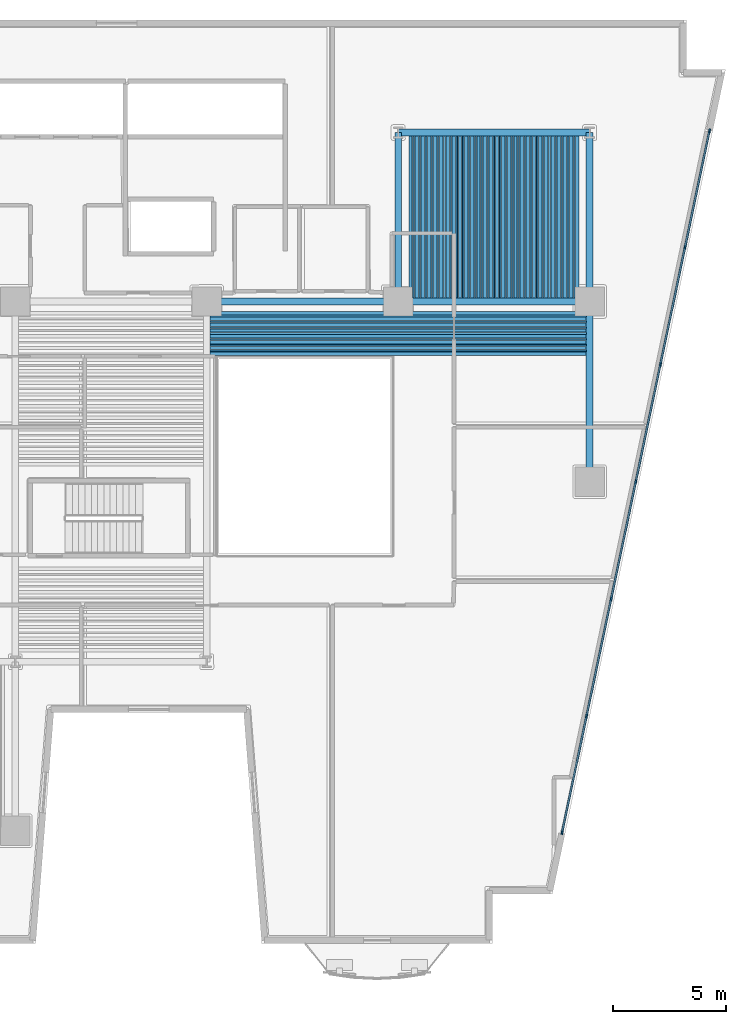
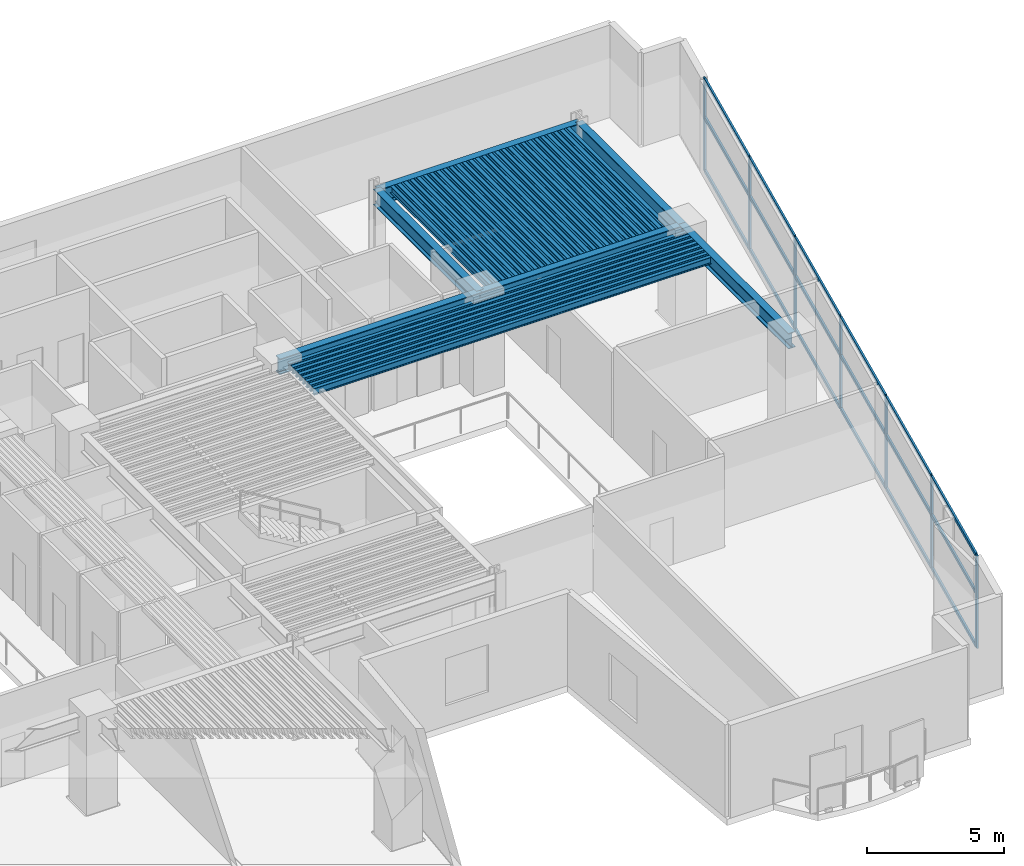
# One storey, part 2 of 12: 76 beams, 25 members, 1 element without a shape of its own.
"""IFC4 building model written with IfcOpenShell, lengths in metres."""

import ifcopenshell
import ifcopenshell.guid

model = None  # the IFC model being written
_history = None  # IfcOwnerHistory: only IFC2X3 demands one
_inside = {}  # id of a spatial element -> (the spatial element, [elements in it])
_under = {}  # id of a project, library or spatial element -> (it, [spatial elements below it])
_declared = {}  # id of a project -> (the project, [libraries it declares])
_typed = {}  # id of a type object -> (the type object, [elements of that type])
_made_of = {}  # id of a material, layer set ... -> (it, [elements and type objects made of it])


def new_model(schema):
    """Start an empty IFC model of exactly this schema.

    Asked for "IFC4X3", IfcOpenShell would pick the latest addendum, in which some entities
    have other attributes; the version numbers below select the first issue.
    IFC2X3 requires an IfcOwnerHistory on every rooted entity: one is made here for all.
    """
    global model, _history
    if schema == "IFC4X3":
        model = ifcopenshell.file(schema_version=(4, 3, 0, 0))
    else:
        model = ifcopenshell.file(schema=schema)
    _inside.clear()
    _under.clear()
    _declared.clear()
    _typed.clear()
    _made_of.clear()
    _history = None
    if model.schema == "IFC2X3":
        org = make("IfcOrganization", Name="unknown")
        user = make(
            "IfcPersonAndOrganization",
            ThePerson=make("IfcPerson", FamilyName="unknown"),
            TheOrganization=org,
        )
        app = make(
            "IfcApplication",
            ApplicationDeveloper=org,
            Version="unknown",
            ApplicationFullName="unknown",
            ApplicationIdentifier="unknown",
        )
        _history = make(
            "IfcOwnerHistory",
            OwningUser=user,
            OwningApplication=app,
            ChangeAction="ADDED",
            CreationDate=0,
        )
    return model


def make(cls, **values):
    """One entity of the class cls with the attributes given. An attribute that is None is left unset."""
    return model.create_entity(
        cls, **{name: value for name, value in values.items() if value is not None}
    )


def rooted(cls, **values):
    """An entity with a GlobalId (a new one), such as an element, a storey or a relation."""
    return make(cls, GlobalId=ifcopenshell.guid.new(), OwnerHistory=_history, **values)


def si_unit(unit_type, name, prefix=None):
    """IfcSIUnit, for example si_unit("LENGTHUNIT", "METRE", prefix="MILLI")."""
    return make("IfcSIUnit", UnitType=unit_type, Prefix=prefix, Name=name)


def assignment(units):
    """IfcUnitAssignment: the units of a project."""
    return None if units is None else make("IfcUnitAssignment", Units=units)


def point(xyz):
    """IfcCartesianPoint."""
    return None if xyz is None else make("IfcCartesianPoint", Coordinates=xyz)


def direction(xyz):
    """IfcDirection."""
    return None if xyz is None else make("IfcDirection", DirectionRatios=xyz)


def frame(location, z_axis=None, x_axis=None):
    """IfcAxis2Placement3D, a coordinate frame: its origin and axes. An axis left out is left unset."""
    return make(
        "IfcAxis2Placement3D",
        Location=point(location),
        Axis=direction(z_axis),
        RefDirection=direction(x_axis),
    )


def frame_2d(location, x_axis=None):
    """IfcAxis2Placement2D, a coordinate frame in the plane: its origin and x axis."""
    return make(
        "IfcAxis2Placement2D", Location=point(location), RefDirection=direction(x_axis)
    )


def origin():
    """The frame at (0, 0, 0) with its axes left unset."""
    return frame((0.0, 0.0, 0.0))


def origin_2d():
    """The frame at (0, 0) in the plane with its x axis left unset."""
    return frame_2d((0.0, 0.0))


def place(relative_to, where):
    """IfcLocalPlacement: puts the frame where relative to a parent placement (None: the world)."""
    return make(
        "IfcLocalPlacement", PlacementRelTo=relative_to, RelativePlacement=where
    )


def context(
    kind, dimensions, precision=None, world=None, true_north=None, identifier=None
):
    """IfcGeometricRepresentationContext, for example the 3D "Model" context."""
    return make(
        "IfcGeometricRepresentationContext",
        ContextIdentifier=identifier,
        ContextType=kind,
        CoordinateSpaceDimension=dimensions,
        Precision=precision,
        WorldCoordinateSystem=world,
        TrueNorth=true_north,
    )


def subcontext(parent, identifier, kind, view, scale=None):
    """IfcGeometricRepresentationSubContext, for example "Body" below "Model"."""
    return make(
        "IfcGeometricRepresentationSubContext",
        ContextIdentifier=identifier,
        ContextType=kind,
        ParentContext=parent,
        TargetScale=scale,
        TargetView=view,
    )


def project(units=None, contexts=None):
    """IfcProject with its units and contexts."""
    return rooted(
        "IfcProject",
        Name="project",
        RepresentationContexts=contexts,
        UnitsInContext=assignment(units),
    )


def spatial(cls, under=None, at=None, **own):
    """A site, building, storey or space (cls), placed at a placement, below another one or the project."""
    s = rooted(cls, ObjectPlacement=at, **own)
    if under is not None:
        _under.setdefault(under.id(), (under, []))[1].append(s)
    return s


def profile(cls, at=None, kind="AREA", **sizes):
    """A parametric profile (cls). Its sizes go by their IFC names, for example OverallWidth=200.0."""
    return make(cls, ProfileType=kind, Position=at, **sizes)


def rectangle(**sizes):
    """IfcRectangleProfileDef."""
    return profile("IfcRectangleProfileDef", **sizes)


def hollow_rectangle(**sizes):
    """IfcRectangleHollowProfileDef."""
    return profile("IfcRectangleHollowProfileDef", **sizes)


def i_section(**sizes):
    """IfcIShapeProfileDef."""
    return profile("IfcIShapeProfileDef", **sizes)


def extrude(swept, where, along, depth):
    """IfcExtrudedAreaSolid: the profile swept, set in the frame where, extruded along a direction by depth."""
    return make(
        "IfcExtrudedAreaSolid",
        SweptArea=swept,
        Position=where,
        ExtrudedDirection=direction(along),
        Depth=depth,
    )


def shape(context_of_items, identifier, shape_type, items):
    """IfcShapeRepresentation: the items that make up one representation, for example the "Body"."""
    return make(
        "IfcShapeRepresentation",
        ContextOfItems=context_of_items,
        RepresentationIdentifier=identifier,
        RepresentationType=shape_type,
        Items=items,
    )


def material(Name=None, Category=None):
    """IfcMaterial."""
    return make("IfcMaterial", Name=Name, Category=Category)


def layer(
    of_material, thickness, ventilated=None, Name=None, Category=None, Priority=None
):
    """IfcMaterialLayer: one layer of a wall or slab, of a material (None: an air gap)."""
    return make(
        "IfcMaterialLayer",
        Material=of_material,
        LayerThickness=thickness,
        IsVentilated=ventilated,
        Name=Name,
        Category=Category,
        Priority=Priority,
    )


def layer_set(layers, Name=None):
    """IfcMaterialLayerSet."""
    return make("IfcMaterialLayerSet", MaterialLayers=layers, LayerSetName=Name)


def material_profile(
    of_material, cross_section, Name=None, Category=None, Priority=None
):
    """IfcMaterialProfile: a cross section and its material."""
    return make(
        "IfcMaterialProfile",
        Name=Name,
        Material=of_material,
        Profile=cross_section,
        Priority=Priority,
        Category=Category,
    )


def profile_set(profiles, Name=None, composite=None):
    """IfcMaterialProfileSet."""
    return make(
        "IfcMaterialProfileSet",
        Name=Name,
        MaterialProfiles=profiles,
        CompositeProfile=composite,
    )


def made_of(thing, what):
    """Note that an element or type object is made of a material, layer set ...; save() writes the relation."""
    if what is not None:
        _made_of.setdefault(what.id(), (what, []))[1].append(thing)
    return thing


def type_object(cls, material=None, **own):
    """A type object (cls), such as IfcWallType, which elements share."""
    return made_of(rooted(cls, **own), material)


def element(
    cls,
    number,
    at=None,
    inside=None,
    cuts=None,
    type_object=None,
    material=None,
    context=None,
    identifier="Body",
    shape_type=None,
    held_by="IfcProductDefinitionShape",
    body=None,
    shapes=None,
    **own,
):
    """One element of the class cls, such as IfcWall. Its Tag is "e" and its number.

    at: its placement. inside: the storey or other place that contains it. cuts: it is an
    opening in that element (IfcRelVoidsElement). A single representation is given by context,
    identifier, shape_type and body (its items); several are given by shapes. held_by: the class
    of the entity that holds the representations. save() writes the other relations.
    """
    e = rooted(cls, Tag="e%d" % number, ObjectPlacement=at, **own)
    if body is not None:
        shapes = [shape(context, identifier, shape_type, body)]
    if shapes is not None:
        e.Representation = make(held_by, Representations=shapes)
    if inside is not None:
        _inside.setdefault(inside.id(), (inside, []))[1].append(e)
    if cuts is not None:
        rooted(
            "IfcRelVoidsElement", RelatingBuildingElement=cuts, RelatedOpeningElement=e
        )
    if type_object is not None:
        _typed.setdefault(type_object.id(), (type_object, []))[1].append(e)
    return made_of(e, material)


def aggregate(whole, parts):
    """IfcRelAggregates: a whole, such as a stair, and the parts it consists of."""
    return rooted("IfcRelAggregates", RelatingObject=whole, RelatedObjects=parts)


def save(model, path):
    """Write the relations noted so far, then the file.

    IfcRelAggregates (storeys below a building ...), IfcRelContainedInSpatialStructure (elements
    in a storey), IfcRelDefinesByType, IfcRelAssociatesMaterial and IfcRelDeclares: one each for
    every whole, place, type object, material and project.
    """
    for whole, parts in _under.values():
        aggregate(whole, parts)
    for where, things in _inside.values():
        rooted(
            "IfcRelContainedInSpatialStructure",
            RelatedElements=things,
            RelatingStructure=where,
        )
    for kind, things in _typed.values():
        rooted("IfcRelDefinesByType", RelatedObjects=things, RelatingType=kind)
    for what, things in _made_of.values():
        rooted("IfcRelAssociatesMaterial", RelatedObjects=things, RelatingMaterial=what)
    for by, libraries in _declared.values():
        rooted("IfcRelDeclares", RelatingContext=by, RelatedDefinitions=libraries)
    model.write(path)


model = new_model("IFC4")

# Units and contexts
model_context = context("Model", 3, precision=1e-05, world=origin(), true_north=direction((0.0, 1.0)))
body_context = subcontext(model_context, "Body", "Model", "MODEL_VIEW")
ifc_project = project(units=[si_unit("LENGTHUNIT", "METRE"), si_unit("AREAUNIT", "SQUARE_METRE"), si_unit("VOLUMEUNIT", "CUBIC_METRE"), si_unit("PLANEANGLEUNIT", "RADIAN"), si_unit("MASSUNIT", "GRAM", prefix="KILO")], contexts=[model_context])

# Site, building, storey
site_placement = place(None, origin())
site = spatial("IfcSite", under=ifc_project, at=site_placement, CompositionType="ELEMENT")
building_placement = place(site_placement, origin())
building = spatial("IfcBuilding", under=site, at=building_placement, Name="Caeloran Harvest Quay", CompositionType="ELEMENT")
storey_placement = place(building_placement, frame((0.0, 0.0, 84.199951171875)))
storey = spatial("IfcBuildingStorey", under=building, at=storey_placement, Name="L19", CompositionType="ELEMENT", Elevation=84.199951171875)

# Beams
ifc_material_1 = material(Name="Steel S355J2", Category="steel")
ifc_material_profile_1 = material_profile(ifc_material_1, i_section(OverallWidth=0.300048828125, OverallDepth=0.699951171875, WebThickness=0.01708984375, FlangeThickness=0.031982421875, FilletRadius=0.027099609375, at=origin_2d()), Name="HE 700 B")
ifc_profile_set_1 = profile_set([ifc_material_profile_1], Name="Steel S355J2")
beam_type_1 = type_object("IfcBeamType", Name="BM-PG-2-HE_700_B", PredefinedType="BEAM", material=ifc_profile_set_1)
for number, where, z_axis, x_axis, name in (
    (1, (34.0, 31.0, 3.76513671875), (1.0, 0.0, 0.0), (0.0, 1.0, 0.0), "L19 Primary East-West Girder Y=31.0"),
    (2, (42.5, 31.0, 3.76513671875), (1.0, 0.0, 0.0), (0.0, 1.0, 0.0), "L19 Primary East-West Girder Y=31.0"),
    (3, (42.5, 38.5, 3.76513671875), (1.0, 0.0, 0.0), (0.0, 1.0, 0.0), "L19 Primary East-West Girder Y=38.5"),
):
    element("IfcBeam", number, at=place(storey_placement, frame(where, z_axis=z_axis, x_axis=x_axis)), inside=storey, type_object=beam_type_1, Name=name, PredefinedType="BEAM", context=body_context, shape_type="SweptSolid", body=[
        extrude(i_section(OverallWidth=0.300048828125, OverallDepth=0.699951171875, WebThickness=0.01708984375, FlangeThickness=0.031982421875, FilletRadius=0.027099609375, at=origin_2d()), origin(), (0.0, 0.0, 1.0), 8.5),
    ])
beam_1_placement = place(storey_placement, frame((42.5, 31.0, 3.76513671875), z_axis=(0.0, 1.0, 0.0), x_axis=(-1.0, 0.0, 0.0)))
element("IfcBeam", 4, at=beam_1_placement, inside=storey, type_object=beam_type_1, Name="L19 Primary North-South Girder X=42.5", PredefinedType="BEAM", context=body_context, shape_type="SweptSolid", body=[
    extrude(i_section(OverallWidth=0.300048828125, OverallDepth=0.699951171875, WebThickness=0.01708984375, FlangeThickness=0.031982421875, FilletRadius=0.027099609375, at=origin_2d()), origin(), (0.0, 0.0, 1.0), 7.5),
])
beam_2_placement = place(storey_placement, frame((51.0, 23.0, 3.76513671875), z_axis=(0.0, 1.0, 0.0), x_axis=(-1.0, 0.0, 0.0)))
element("IfcBeam", 5, at=beam_2_placement, inside=storey, type_object=beam_type_1, Name="L19 Primary North-South Girder X=51.0", PredefinedType="BEAM", context=body_context, shape_type="SweptSolid", body=[
    extrude(i_section(OverallWidth=0.300048828125, OverallDepth=0.699951171875, WebThickness=0.01708984375, FlangeThickness=0.031982421875, FilletRadius=0.027099609375, at=origin_2d()), origin(), (0.0, 0.0, 1.0), 8.0),
])
beam_3_placement = place(storey_placement, frame((51.0, 31.0, 3.76513671875), z_axis=(0.0, 1.0, 0.0), x_axis=(-1.0, 0.0, 0.0)))
element("IfcBeam", 6, at=beam_3_placement, inside=storey, type_object=beam_type_1, Name="L19 Primary North-South Girder X=51.0", PredefinedType="BEAM", context=body_context, shape_type="SweptSolid", body=[
    extrude(i_section(OverallWidth=0.300048828125, OverallDepth=0.699951171875, WebThickness=0.01708984375, FlangeThickness=0.031982421875, FilletRadius=0.027099609375, at=origin_2d()), origin(), (0.0, 0.0, 1.0), 7.5),
])
ifc_material_profile_2 = material_profile(ifc_material_1, i_section(OverallWidth=0.14990234375, OverallDepth=0.300048828125, WebThickness=0.007080078125, FlangeThickness=0.0107421875, FilletRadius=0.014892578125, at=origin_2d()), Name="IPE 300")
ifc_profile_set_2 = profile_set([ifc_material_profile_2], Name="Steel S355J2")
beam_type_2 = type_object("IfcBeamType", Name="BM-SB-6-IPE_300", PredefinedType="JOIST", material=ifc_profile_set_2)
for number, where, z_axis, x_axis, name in (
    (7, (43.04833984375, 31.14501953125, 3.965087890625), (0.0, 1.0, 0.0), (-1.0, 0.0, 0.0), "L19 Secondary Composite Joist"),
    (8, (43.322509765625, 31.14501953125, 3.965087890625), (0.0, 1.0, 0.0), (-1.0, 0.0, 0.0), "L19 Secondary Composite Joist"),
    (9, (43.5966796875, 31.14501953125, 3.965087890625), (0.0, 1.0, 0.0), (-1.0, 0.0, 0.0), "L19 Secondary Composite Joist"),
    (10, (43.87109375, 31.14501953125, 3.965087890625), (0.0, 1.0, 0.0), (-1.0, 0.0, 0.0), "L19 Secondary Composite Joist"),
    (11, (44.145263671875, 31.14501953125, 3.965087890625), (0.0, 1.0, 0.0), (-1.0, 0.0, 0.0), "L19 Secondary Composite Joist"),
    (12, (44.41943359375, 31.14501953125, 3.965087890625), (0.0, 1.0, 0.0), (-1.0, 0.0, 0.0), "L19 Secondary Composite Joist"),
    (13, (44.693603515625, 31.14501953125, 3.965087890625), (0.0, 1.0, 0.0), (-1.0, 0.0, 0.0), "L19 Secondary Composite Joist"),
    (14, (44.9677734375, 31.14501953125, 3.965087890625), (0.0, 1.0, 0.0), (-1.0, 0.0, 0.0), "L19 Secondary Composite Joist"),
    (15, (45.241943359375, 31.14501953125, 3.965087890625), (0.0, 1.0, 0.0), (-1.0, 0.0, 0.0), "L19 Secondary Composite Joist"),
    (16, (45.51611328125, 31.14501953125, 3.965087890625), (0.0, 1.0, 0.0), (-1.0, 0.0, 0.0), "L19 Secondary Composite Joist"),
    (17, (45.790283203125, 31.14501953125, 3.965087890625), (0.0, 1.0, 0.0), (-1.0, 0.0, 0.0), "L19 Secondary Composite Joist"),
    (18, (46.064453125, 31.14501953125, 3.965087890625), (0.0, 1.0, 0.0), (-1.0, 0.0, 0.0), "L19 Secondary Composite Joist"),
    (19, (46.338623046875, 31.14501953125, 3.965087890625), (0.0, 1.0, 0.0), (-1.0, 0.0, 0.0), "L19 Secondary Composite Joist"),
    (20, (46.61279296875, 31.14501953125, 3.965087890625), (0.0, 1.0, 0.0), (-1.0, 0.0, 0.0), "L19 Secondary Composite Joist"),
    (21, (46.88720703125, 31.14501953125, 3.965087890625), (0.0, 1.0, 0.0), (-1.0, 0.0, 0.0), "L19 Secondary Composite Joist"),
    (22, (47.161376953125, 31.14501953125, 3.965087890625), (0.0, 1.0, 0.0), (-1.0, 0.0, 0.0), "L19 Secondary Composite Joist"),
    (23, (47.435546875, 31.14501953125, 3.965087890625), (0.0, 1.0, 0.0), (-1.0, 0.0, 0.0), "L19 Secondary Composite Joist"),
    (24, (47.709716796875, 31.14501953125, 3.965087890625), (0.0, 1.0, 0.0), (-1.0, 0.0, 0.0), "L19 Secondary Composite Joist"),
    (25, (47.98388671875, 31.14501953125, 3.965087890625), (0.0, 1.0, 0.0), (-1.0, 0.0, 0.0), "L19 Secondary Composite Joist"),
    (26, (48.258056640625, 31.14501953125, 3.965087890625), (0.0, 1.0, 0.0), (-1.0, 0.0, 0.0), "L19 Secondary Composite Joist"),
    (27, (48.5322265625, 31.14501953125, 3.965087890625), (0.0, 1.0, 0.0), (-1.0, 0.0, 0.0), "L19 Secondary Composite Joist"),
    (28, (48.806396484375, 31.14501953125, 3.965087890625), (0.0, 1.0, 0.0), (-1.0, 0.0, 0.0), "L19 Secondary Composite Joist"),
    (29, (49.08056640625, 31.14501953125, 3.965087890625), (0.0, 1.0, 0.0), (-1.0, 0.0, 0.0), "L19 Secondary Composite Joist"),
    (30, (49.354736328125, 31.14501953125, 3.965087890625), (0.0, 1.0, 0.0), (-1.0, 0.0, 0.0), "L19 Secondary Composite Joist"),
    (31, (49.62890625, 31.14501953125, 3.965087890625), (0.0, 1.0, 0.0), (-1.0, 0.0, 0.0), "L19 Secondary Composite Joist"),
    (32, (49.9033203125, 31.14501953125, 3.965087890625), (0.0, 1.0, 0.0), (-1.0, 0.0, 0.0), "L19 Secondary Composite Joist"),
    (33, (50.177490234375, 31.14501953125, 3.965087890625), (0.0, 1.0, 0.0), (-1.0, 0.0, 0.0), "L19 Secondary Composite Joist"),
    (34, (50.45166015625, 31.14501953125, 3.965087890625), (0.0, 1.0, 0.0), (-1.0, 0.0, 0.0), "L19 Secondary Composite Joist"),
):
    element("IfcBeam", number, at=place(storey_placement, frame(where, z_axis=z_axis, x_axis=x_axis)), inside=storey, type_object=beam_type_2, Name=name, PredefinedType="JOIST", context=body_context, shape_type="SweptSolid", body=[
        extrude(i_section(OverallWidth=0.14990234375, OverallDepth=0.300048828125, WebThickness=0.007080078125, FlangeThickness=0.0107421875, FilletRadius=0.014892578125, at=origin_2d()), origin(), (0.0, 0.0, 1.0), 7.2099609375),
    ])
for number, where, z_axis, x_axis, name in (
    (35, (34.14501953125, 28.677490234375, 3.965087890625), (1.0, 0.0, 0.0), (0.0, 1.0, 0.0), "L19 Secondary East-West Composite Joist"),
    (36, (34.14501953125, 28.935546875, 3.965087890625), (1.0, 0.0, 0.0), (0.0, 1.0, 0.0), "L19 Secondary East-West Composite Joist"),
    (37, (34.14501953125, 29.193603515625, 3.965087890625), (1.0, 0.0, 0.0), (0.0, 1.0, 0.0), "L19 Secondary East-West Composite Joist"),
    (38, (34.14501953125, 29.45166015625, 3.965087890625), (1.0, 0.0, 0.0), (0.0, 1.0, 0.0), "L19 Secondary East-West Composite Joist"),
    (39, (34.14501953125, 29.709716796875, 3.965087890625), (1.0, 0.0, 0.0), (0.0, 1.0, 0.0), "L19 Secondary East-West Composite Joist"),
    (40, (34.14501953125, 29.9677734375, 3.965087890625), (1.0, 0.0, 0.0), (0.0, 1.0, 0.0), "L19 Secondary East-West Composite Joist"),
    (41, (34.14501953125, 30.225830078125, 3.965087890625), (1.0, 0.0, 0.0), (0.0, 1.0, 0.0), "L19 Secondary East-West Composite Joist"),
    (42, (34.14501953125, 30.48388671875, 3.965087890625), (1.0, 0.0, 0.0), (0.0, 1.0, 0.0), "L19 Secondary East-West Composite Joist"),
):
    element("IfcBeam", number, at=place(storey_placement, frame(where, z_axis=z_axis, x_axis=x_axis)), inside=storey, type_object=beam_type_2, Name=name, PredefinedType="JOIST", context=body_context, shape_type="SweptSolid", body=[
        extrude(i_section(OverallWidth=0.14990234375, OverallDepth=0.300048828125, WebThickness=0.007080078125, FlangeThickness=0.0107421875, FilletRadius=0.014892578125, at=origin_2d()), origin(), (0.0, 0.0, 1.0), 16.7099609375),
    ])
ifc_material_profile_3 = material_profile(ifc_material_1, hollow_rectangle(XDim=0.080078125, YDim=0.199951171875, WallThickness=0.006103515625, InnerFilletRadius=0.006103515625, OuterFilletRadius=0.009033203125, at=origin_2d()), Name="RHS 200x80x6")
ifc_profile_set_3 = profile_set([ifc_material_profile_3], Name="Steel S355J2")
beam_type_3 = type_object("IfcBeamType", Name="BM-SB-7-RHS_200x80x6", PredefinedType="JOIST", material=ifc_profile_set_3)
for number, where, z_axis, x_axis, name in (
    (43, (43.185546875, 31.14501953125, 4.01513671875), (0.0, 1.0, 0.0), (-1.0, 0.0, 0.0), "L19 Secondary Composite Joist"),
    (44, (43.459716796875, 31.14501953125, 4.01513671875), (0.0, 1.0, 0.0), (-1.0, 0.0, 0.0), "L19 Secondary Composite Joist"),
    (45, (43.73388671875, 31.14501953125, 4.01513671875), (0.0, 1.0, 0.0), (-1.0, 0.0, 0.0), "L19 Secondary Composite Joist"),
    (46, (44.008056640625, 31.14501953125, 4.01513671875), (0.0, 1.0, 0.0), (-1.0, 0.0, 0.0), "L19 Secondary Composite Joist"),
    (47, (44.2822265625, 31.14501953125, 4.01513671875), (0.0, 1.0, 0.0), (-1.0, 0.0, 0.0), "L19 Secondary Composite Joist"),
    (48, (44.556396484375, 31.14501953125, 4.01513671875), (0.0, 1.0, 0.0), (-1.0, 0.0, 0.0), "L19 Secondary Composite Joist"),
    (49, (44.83056640625, 31.14501953125, 4.01513671875), (0.0, 1.0, 0.0), (-1.0, 0.0, 0.0), "L19 Secondary Composite Joist"),
    (50, (45.104736328125, 31.14501953125, 4.01513671875), (0.0, 1.0, 0.0), (-1.0, 0.0, 0.0), "L19 Secondary Composite Joist"),
    (51, (45.37890625, 31.14501953125, 4.01513671875), (0.0, 1.0, 0.0), (-1.0, 0.0, 0.0), "L19 Secondary Composite Joist"),
    (52, (45.6533203125, 31.14501953125, 4.01513671875), (0.0, 1.0, 0.0), (-1.0, 0.0, 0.0), "L19 Secondary Composite Joist"),
    (53, (45.927490234375, 31.14501953125, 4.01513671875), (0.0, 1.0, 0.0), (-1.0, 0.0, 0.0), "L19 Secondary Composite Joist"),
    (54, (46.20166015625, 31.14501953125, 4.01513671875), (0.0, 1.0, 0.0), (-1.0, 0.0, 0.0), "L19 Secondary Composite Joist"),
    (55, (46.475830078125, 31.14501953125, 4.01513671875), (0.0, 1.0, 0.0), (-1.0, 0.0, 0.0), "L19 Secondary Composite Joist"),
    (56, (46.75, 31.14501953125, 4.01513671875), (0.0, 1.0, 0.0), (-1.0, 0.0, 0.0), "L19 Secondary Composite Joist"),
    (57, (47.024169921875, 31.14501953125, 4.01513671875), (0.0, 1.0, 0.0), (-1.0, 0.0, 0.0), "L19 Secondary Composite Joist"),
    (58, (47.29833984375, 31.14501953125, 4.01513671875), (0.0, 1.0, 0.0), (-1.0, 0.0, 0.0), "L19 Secondary Composite Joist"),
    (59, (47.572509765625, 31.14501953125, 4.01513671875), (0.0, 1.0, 0.0), (-1.0, 0.0, 0.0), "L19 Secondary Composite Joist"),
    (60, (47.8466796875, 31.14501953125, 4.01513671875), (0.0, 1.0, 0.0), (-1.0, 0.0, 0.0), "L19 Secondary Composite Joist"),
    (61, (48.12109375, 31.14501953125, 4.01513671875), (0.0, 1.0, 0.0), (-1.0, 0.0, 0.0), "L19 Secondary Composite Joist"),
    (62, (48.395263671875, 31.14501953125, 4.01513671875), (0.0, 1.0, 0.0), (-1.0, 0.0, 0.0), "L19 Secondary Composite Joist"),
    (63, (48.66943359375, 31.14501953125, 4.01513671875), (0.0, 1.0, 0.0), (-1.0, 0.0, 0.0), "L19 Secondary Composite Joist"),
    (64, (48.943603515625, 31.14501953125, 4.01513671875), (0.0, 1.0, 0.0), (-1.0, 0.0, 0.0), "L19 Secondary Composite Joist"),
    (65, (49.2177734375, 31.14501953125, 4.01513671875), (0.0, 1.0, 0.0), (-1.0, 0.0, 0.0), "L19 Secondary Composite Joist"),
    (66, (49.491943359375, 31.14501953125, 4.01513671875), (0.0, 1.0, 0.0), (-1.0, 0.0, 0.0), "L19 Secondary Composite Joist"),
    (67, (49.76611328125, 31.14501953125, 4.01513671875), (0.0, 1.0, 0.0), (-1.0, 0.0, 0.0), "L19 Secondary Composite Joist"),
    (68, (50.040283203125, 31.14501953125, 4.01513671875), (0.0, 1.0, 0.0), (-1.0, 0.0, 0.0), "L19 Secondary Composite Joist"),
    (69, (50.314453125, 31.14501953125, 4.01513671875), (0.0, 1.0, 0.0), (-1.0, 0.0, 0.0), "L19 Secondary Composite Joist"),
):
    element("IfcBeam", number, at=place(storey_placement, frame(where, z_axis=z_axis, x_axis=x_axis)), inside=storey, type_object=beam_type_3, Name=name, PredefinedType="JOIST", context=body_context, shape_type="SweptSolid", body=[
        extrude(hollow_rectangle(XDim=0.080078125, YDim=0.199951171875, WallThickness=0.006103515625, InnerFilletRadius=0.006103515625, OuterFilletRadius=0.009033203125, at=origin_2d()), origin(), (0.0, 0.0, 1.0), 7.2099609375),
    ])
for number, where, z_axis, x_axis, name in (
    (70, (34.14501953125, 28.806396484375, 4.01513671875), (1.0, 0.0, 0.0), (0.0, 1.0, 0.0), "L19 Secondary East-West Composite Joist"),
    (71, (34.14501953125, 29.064453125, 4.01513671875), (1.0, 0.0, 0.0), (0.0, 1.0, 0.0), "L19 Secondary East-West Composite Joist"),
    (72, (34.14501953125, 29.322509765625, 4.01513671875), (1.0, 0.0, 0.0), (0.0, 1.0, 0.0), "L19 Secondary East-West Composite Joist"),
    (73, (34.14501953125, 29.58056640625, 4.01513671875), (1.0, 0.0, 0.0), (0.0, 1.0, 0.0), "L19 Secondary East-West Composite Joist"),
    (74, (34.14501953125, 29.838623046875, 4.01513671875), (1.0, 0.0, 0.0), (0.0, 1.0, 0.0), "L19 Secondary East-West Composite Joist"),
    (75, (34.14501953125, 30.0966796875, 4.01513671875), (1.0, 0.0, 0.0), (0.0, 1.0, 0.0), "L19 Secondary East-West Composite Joist"),
    (76, (34.14501953125, 30.354736328125, 4.01513671875), (1.0, 0.0, 0.0), (0.0, 1.0, 0.0), "L19 Secondary East-West Composite Joist"),
):
    element("IfcBeam", number, at=place(storey_placement, frame(where, z_axis=z_axis, x_axis=x_axis)), inside=storey, type_object=beam_type_3, Name=name, PredefinedType="JOIST", context=body_context, shape_type="SweptSolid", body=[
        extrude(hollow_rectangle(XDim=0.080078125, YDim=0.199951171875, WallThickness=0.006103515625, InnerFilletRadius=0.006103515625, OuterFilletRadius=0.009033203125, at=origin_2d()), origin(), (0.0, 0.0, 1.0), 16.7099609375),
    ])

# Curtain wall, members
ifc_material_2 = material(Name="Aluminium 6063-T6 and Low-E Glazing", Category="aluminium")
ifc_layer = layer(ifc_material_2, 0.199951171875, Name="Aluminium 6063-T6 and Low-E Glazing")
ifc_layer_set = layer_set([ifc_layer], Name="Aluminium 6063-T6 and Low-E Glazing")
curtain_wall_type = type_object("IfcCurtainWallType", Name="CW-SYS-CW-2", PredefinedType="USERDEFINED", material=ifc_layer_set)
curtain_wall_placement = place(storey_placement, origin())
curtain_wall = element("IfcCurtainWall", 77, at=curtain_wall_placement, inside=storey, type_object=curtain_wall_type, Name="L19 Unitised Curtain Wall CW-2 Run 9", ObjectType="CURTAIN_WALL", PredefinedType="USERDEFINED")
ifc_material_3 = material(Name="Aluminium 6063-T6", Category="aluminium")
ifc_material_profile_4 = material_profile(ifc_material_3, rectangle(XDim=0.080078125, YDim=0.179931640625, at=origin_2d()), Name="CW-MULLION-180")
ifc_profile_set_4 = profile_set([ifc_material_profile_4], Name="Aluminium 6063-T6")
member_type_1 = type_object("IfcMemberType", Name="CW-MULLION-180", PredefinedType="MULLION", material=ifc_profile_set_4)
member_1_placement = place(storey_placement, frame((56.322509765625, 38.576416015625, 0.0), z_axis=(0.0, 0.0, 1.0), x_axis=(0.978639691881, -0.205582960081, 0.0)))
member_1 = element("IfcMember", 78, at=member_1_placement, type_object=member_type_1, Name="CW-2 mullion 1", PredefinedType="MULLION", context=body_context, shape_type="SweptSolid", body=[
    extrude(rectangle(XDim=0.080078125, YDim=0.179931640625, at=origin_2d()), origin(), (0.0, 0.0, 1.0), 4.114990234375),
])
member_2_placement = place(storey_placement, frame((55.2373046875, 33.410400390625, 0.0), z_axis=(0.0, 0.0, 1.0), x_axis=(0.978639691881, -0.205582960081, 0.0)))
member_2 = element("IfcMember", 79, at=member_2_placement, type_object=member_type_1, Name="CW-2 mullion 2", PredefinedType="MULLION", context=body_context, shape_type="SweptSolid", body=[
    extrude(rectangle(XDim=0.080078125, YDim=0.179931640625, at=origin_2d()), origin(), (0.0, 0.0, 1.0), 4.114990234375),
])
member_3_placement = place(storey_placement, frame((54.143798828125, 28.205078125, 0.0), z_axis=(0.0, 0.0, 1.0), x_axis=(0.978639691881, -0.205582960081, 0.0)))
member_3 = element("IfcMember", 80, at=member_3_placement, type_object=member_type_1, Name="CW-2 mullion 3", PredefinedType="MULLION", context=body_context, shape_type="SweptSolid", body=[
    extrude(rectangle(XDim=0.080078125, YDim=0.179931640625, at=origin_2d()), origin(), (0.0, 0.0, 1.0), 4.114990234375),
])
member_4_placement = place(storey_placement, frame((53.050537109375, 23.0, 0.0), z_axis=(0.0, 0.0, 1.0), x_axis=(0.978639691881, -0.205582960081, 0.0)))
member_4 = element("IfcMember", 81, at=member_4_placement, type_object=member_type_1, Name="CW-2 mullion 4", PredefinedType="MULLION", context=body_context, shape_type="SweptSolid", body=[
    extrude(rectangle(XDim=0.080078125, YDim=0.179931640625, at=origin_2d()), origin(), (0.0, 0.0, 1.0), 4.114990234375),
])
member_5_placement = place(storey_placement, frame((51.95703125, 17.794921875, 0.0), z_axis=(0.0, 0.0, 1.0), x_axis=(0.978639691881, -0.205582960081, 0.0)))
member_5 = element("IfcMember", 82, at=member_5_placement, type_object=member_type_1, Name="CW-2 mullion 5", PredefinedType="MULLION", context=body_context, shape_type="SweptSolid", body=[
    extrude(rectangle(XDim=0.080078125, YDim=0.179931640625, at=origin_2d()), origin(), (0.0, 0.0, 1.0), 4.114990234375),
])
member_6_placement = place(storey_placement, frame((50.863525390625, 12.589599609375, 0.0), z_axis=(0.0, 0.0, 1.0), x_axis=(0.978639691881, -0.205582960081, 0.0)))
member_6 = element("IfcMember", 83, at=member_6_placement, type_object=member_type_1, Name="CW-2 mullion 6", PredefinedType="MULLION", context=body_context, shape_type="SweptSolid", body=[
    extrude(rectangle(XDim=0.080078125, YDim=0.179931640625, at=origin_2d()), origin(), (0.0, 0.0, 1.0), 4.114990234375),
])
member_7_placement = place(storey_placement, frame((49.7783203125, 7.423583984375, 0.0), z_axis=(0.0, 0.0, 1.0), x_axis=(0.978639691881, -0.205582960081, 0.0)))
member_7 = element("IfcMember", 84, at=member_7_placement, type_object=member_type_1, Name="CW-2 mullion 7", PredefinedType="MULLION", context=body_context, shape_type="SweptSolid", body=[
    extrude(rectangle(XDim=0.080078125, YDim=0.179931640625, at=origin_2d()), origin(), (0.0, 0.0, 1.0), 4.114990234375),
])
ifc_material_profile_5 = material_profile(ifc_material_3, rectangle(XDim=0.080078125, YDim=0.14990234375, at=origin_2d()), Name="CW-TRANSOM-150")
ifc_profile_set_5 = profile_set([ifc_material_profile_5], Name="Aluminium 6063-T6")
member_type_2 = type_object("IfcMemberType", Name="CW-TRANSOM-150", PredefinedType="USERDEFINED", material=ifc_profile_set_5)
member_8_placement = place(storey_placement, frame((56.314453125, 38.537109375, 0.0400390625), z_axis=(-0.205598644178, -0.978636396989, 0.0), x_axis=(0.978636396989, -0.205598644178, 0.0)))
member_8 = element("IfcMember", 85, at=member_8_placement, type_object=member_type_2, Name="CW-2 transom 1.1", ObjectType="TRANSOM", PredefinedType="USERDEFINED", context=body_context, shape_type="SweptSolid", body=[
    extrude(rectangle(XDim=0.080078125, YDim=0.14990234375, at=origin_2d()), origin(), (0.0, 0.0, 1.0), 5.19873046875),
])
member_9_placement = place(storey_placement, frame((56.314453125, 38.537109375, 2.400146484375), z_axis=(-0.205598644178, -0.978636396989, 0.0), x_axis=(0.978636396989, -0.205598644178, 0.0)))
member_9 = element("IfcMember", 86, at=member_9_placement, type_object=member_type_2, Name="CW-2 transom 1.2", ObjectType="TRANSOM", PredefinedType="USERDEFINED", context=body_context, shape_type="SweptSolid", body=[
    extrude(rectangle(XDim=0.080078125, YDim=0.14990234375, at=origin_2d()), origin(), (0.0, 0.0, 1.0), 5.19873046875),
])
member_10_placement = place(storey_placement, frame((56.314453125, 38.537109375, 4.074951171875), z_axis=(-0.205598644178, -0.978636396989, 0.0), x_axis=(0.978636396989, -0.205598644178, 0.0)))
member_10 = element("IfcMember", 87, at=member_10_placement, type_object=member_type_2, Name="CW-2 transom 1.3", ObjectType="TRANSOM", PredefinedType="USERDEFINED", context=body_context, shape_type="SweptSolid", body=[
    extrude(rectangle(XDim=0.080078125, YDim=0.14990234375, at=origin_2d()), origin(), (0.0, 0.0, 1.0), 5.19873046875),
])
member_11_placement = place(storey_placement, frame((55.229248046875, 33.37109375, 0.0400390625), z_axis=(-0.205615877389, -0.97863277636, 0.0), x_axis=(0.97863277636, -0.205615877389, 0.0)))
member_11 = element("IfcMember", 88, at=member_11_placement, type_object=member_type_2, Name="CW-2 transom 2.1", ObjectType="TRANSOM", PredefinedType="USERDEFINED", context=body_context, shape_type="SweptSolid", body=[
    extrude(rectangle(XDim=0.080078125, YDim=0.14990234375, at=origin_2d()), origin(), (0.0, 0.0, 1.0), 5.238525390625),
])
member_12_placement = place(storey_placement, frame((55.229248046875, 33.37109375, 2.400146484375), z_axis=(-0.205615877389, -0.97863277636, 0.0), x_axis=(0.97863277636, -0.205615877389, 0.0)))
member_12 = element("IfcMember", 89, at=member_12_placement, type_object=member_type_2, Name="CW-2 transom 2.2", ObjectType="TRANSOM", PredefinedType="USERDEFINED", context=body_context, shape_type="SweptSolid", body=[
    extrude(rectangle(XDim=0.080078125, YDim=0.14990234375, at=origin_2d()), origin(), (0.0, 0.0, 1.0), 5.238525390625),
])
member_13_placement = place(storey_placement, frame((55.229248046875, 33.37109375, 4.074951171875), z_axis=(-0.205615877389, -0.97863277636, 0.0), x_axis=(0.97863277636, -0.205615877389, 0.0)))
member_13 = element("IfcMember", 90, at=member_13_placement, type_object=member_type_2, Name="CW-2 transom 2.3", ObjectType="TRANSOM", PredefinedType="USERDEFINED", context=body_context, shape_type="SweptSolid", body=[
    extrude(rectangle(XDim=0.080078125, YDim=0.14990234375, at=origin_2d()), origin(), (0.0, 0.0, 1.0), 5.238525390625),
])
member_14_placement = place(storey_placement, frame((54.1357421875, 28.166015625, 0.0400390625), z_axis=(-0.205606500081, -0.978634746534, 0.0), x_axis=(0.978634746534, -0.205606500081, 0.0)))
member_14 = element("IfcMember", 91, at=member_14_placement, type_object=member_type_2, Name="CW-2 transom 3.1", ObjectType="TRANSOM", PredefinedType="USERDEFINED", context=body_context, shape_type="SweptSolid", body=[
    extrude(rectangle(XDim=0.080078125, YDim=0.14990234375, at=origin_2d()), origin(), (0.0, 0.0, 1.0), 5.23876953125),
])
member_15_placement = place(storey_placement, frame((54.1357421875, 28.166015625, 2.400146484375), z_axis=(-0.205606500081, -0.978634746534, 0.0), x_axis=(0.978634746534, -0.205606500081, 0.0)))
member_15 = element("IfcMember", 92, at=member_15_placement, type_object=member_type_2, Name="CW-2 transom 3.2", ObjectType="TRANSOM", PredefinedType="USERDEFINED", context=body_context, shape_type="SweptSolid", body=[
    extrude(rectangle(XDim=0.080078125, YDim=0.14990234375, at=origin_2d()), origin(), (0.0, 0.0, 1.0), 5.23876953125),
])
member_16_placement = place(storey_placement, frame((54.1357421875, 28.166015625, 4.074951171875), z_axis=(-0.205606500081, -0.978634746534, 0.0), x_axis=(0.978634746534, -0.205606500081, 0.0)))
member_16 = element("IfcMember", 93, at=member_16_placement, type_object=member_type_2, Name="CW-2 transom 3.3", ObjectType="TRANSOM", PredefinedType="USERDEFINED", context=body_context, shape_type="SweptSolid", body=[
    extrude(rectangle(XDim=0.080078125, YDim=0.14990234375, at=origin_2d()), origin(), (0.0, 0.0, 1.0), 5.23876953125),
])
member_17_placement = place(storey_placement, frame((53.042236328125, 22.9609375, 0.0400390625), z_axis=(-0.205561867825, -0.978644122496, 0.0), x_axis=(0.978644122496, -0.205561867825, 0.0)))
member_17 = element("IfcMember", 94, at=member_17_placement, type_object=member_type_2, Name="CW-2 transom 4.1", ObjectType="TRANSOM", PredefinedType="USERDEFINED", context=body_context, shape_type="SweptSolid", body=[
    extrude(rectangle(XDim=0.080078125, YDim=0.14990234375, at=origin_2d()), origin(), (0.0, 0.0, 1.0), 5.23876953125),
])
member_18_placement = place(storey_placement, frame((53.042236328125, 22.9609375, 2.400146484375), z_axis=(-0.205561867825, -0.978644122496, 0.0), x_axis=(0.978644122496, -0.205561867825, 0.0)))
member_18 = element("IfcMember", 95, at=member_18_placement, type_object=member_type_2, Name="CW-2 transom 4.2", ObjectType="TRANSOM", PredefinedType="USERDEFINED", context=body_context, shape_type="SweptSolid", body=[
    extrude(rectangle(XDim=0.080078125, YDim=0.14990234375, at=origin_2d()), origin(), (0.0, 0.0, 1.0), 5.23876953125),
])
member_19_placement = place(storey_placement, frame((53.042236328125, 22.9609375, 4.074951171875), z_axis=(-0.205561867825, -0.978644122496, 0.0), x_axis=(0.978644122496, -0.205561867825, 0.0)))
member_19 = element("IfcMember", 96, at=member_19_placement, type_object=member_type_2, Name="CW-2 transom 4.3", ObjectType="TRANSOM", PredefinedType="USERDEFINED", context=body_context, shape_type="SweptSolid", body=[
    extrude(rectangle(XDim=0.080078125, YDim=0.14990234375, at=origin_2d()), origin(), (0.0, 0.0, 1.0), 5.23876953125),
])
member_20_placement = place(storey_placement, frame((51.94873046875, 17.755615234375, 0.0400390625), z_axis=(-0.205571243277, -0.978642153158, 0.0), x_axis=(0.978642153158, -0.205571243277, 0.0)))
member_20 = element("IfcMember", 97, at=member_20_placement, type_object=member_type_2, Name="CW-2 transom 5.1", ObjectType="TRANSOM", PredefinedType="USERDEFINED", context=body_context, shape_type="SweptSolid", body=[
    extrude(rectangle(XDim=0.080078125, YDim=0.14990234375, at=origin_2d()), origin(), (0.0, 0.0, 1.0), 5.238525390625),
])
member_21_placement = place(storey_placement, frame((51.94873046875, 17.755615234375, 2.400146484375), z_axis=(-0.205571243277, -0.978642153158, 0.0), x_axis=(0.978642153158, -0.205571243277, 0.0)))
member_21 = element("IfcMember", 98, at=member_21_placement, type_object=member_type_2, Name="CW-2 transom 5.2", ObjectType="TRANSOM", PredefinedType="USERDEFINED", context=body_context, shape_type="SweptSolid", body=[
    extrude(rectangle(XDim=0.080078125, YDim=0.14990234375, at=origin_2d()), origin(), (0.0, 0.0, 1.0), 5.238525390625),
])
member_22_placement = place(storey_placement, frame((51.94873046875, 17.755615234375, 4.074951171875), z_axis=(-0.205571243277, -0.978642153158, 0.0), x_axis=(0.978642153158, -0.205571243277, 0.0)))
member_22 = element("IfcMember", 99, at=member_22_placement, type_object=member_type_2, Name="CW-2 transom 5.3", ObjectType="TRANSOM", PredefinedType="USERDEFINED", context=body_context, shape_type="SweptSolid", body=[
    extrude(rectangle(XDim=0.080078125, YDim=0.14990234375, at=origin_2d()), origin(), (0.0, 0.0, 1.0), 5.238525390625),
])
member_23_placement = place(storey_placement, frame((50.855224609375, 12.550537109375, 0.0400390625), z_axis=(-0.205553666865, -0.978645845052, 0.0), x_axis=(0.978645845052, -0.205553666865, 0.0)))
member_23 = element("IfcMember", 100, at=member_23_placement, type_object=member_type_2, Name="CW-2 transom 6.1", ObjectType="TRANSOM", PredefinedType="USERDEFINED", context=body_context, shape_type="SweptSolid", body=[
    extrude(rectangle(XDim=0.080078125, YDim=0.14990234375, at=origin_2d()), origin(), (0.0, 0.0, 1.0), 5.19873046875),
])
member_24_placement = place(storey_placement, frame((50.855224609375, 12.550537109375, 2.400146484375), z_axis=(-0.205553666865, -0.978645845052, 0.0), x_axis=(0.978645845052, -0.205553666865, 0.0)))
member_24 = element("IfcMember", 101, at=member_24_placement, type_object=member_type_2, Name="CW-2 transom 6.2", ObjectType="TRANSOM", PredefinedType="USERDEFINED", context=body_context, shape_type="SweptSolid", body=[
    extrude(rectangle(XDim=0.080078125, YDim=0.14990234375, at=origin_2d()), origin(), (0.0, 0.0, 1.0), 5.19873046875),
])
member_25_placement = place(storey_placement, frame((50.855224609375, 12.550537109375, 4.074951171875), z_axis=(-0.205553666865, -0.978645845052, 0.0), x_axis=(0.978645845052, -0.205553666865, 0.0)))
member_25 = element("IfcMember", 102, at=member_25_placement, type_object=member_type_2, Name="CW-2 transom 6.3", ObjectType="TRANSOM", PredefinedType="USERDEFINED", context=body_context, shape_type="SweptSolid", body=[
    extrude(rectangle(XDim=0.080078125, YDim=0.14990234375, at=origin_2d()), origin(), (0.0, 0.0, 1.0), 5.19873046875),
])
aggregate(curtain_wall, [member_1, member_2, member_3, member_4, member_5, member_6, member_7, member_8, member_9, member_10, member_11, member_12, member_13, member_14, member_15, member_16, member_17, member_18, member_19, member_20, member_21, member_22, member_23, member_24, member_25])

save(model, "model.ifc")
